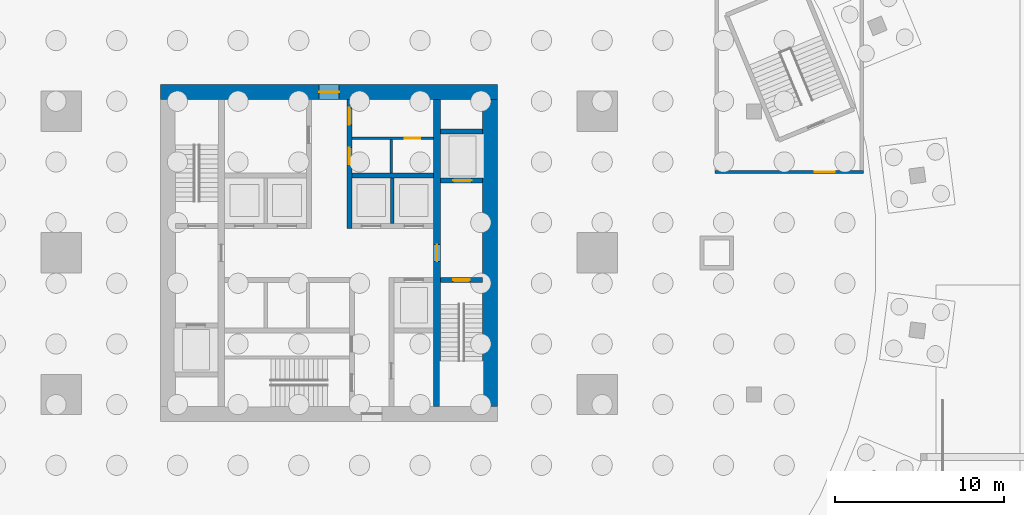
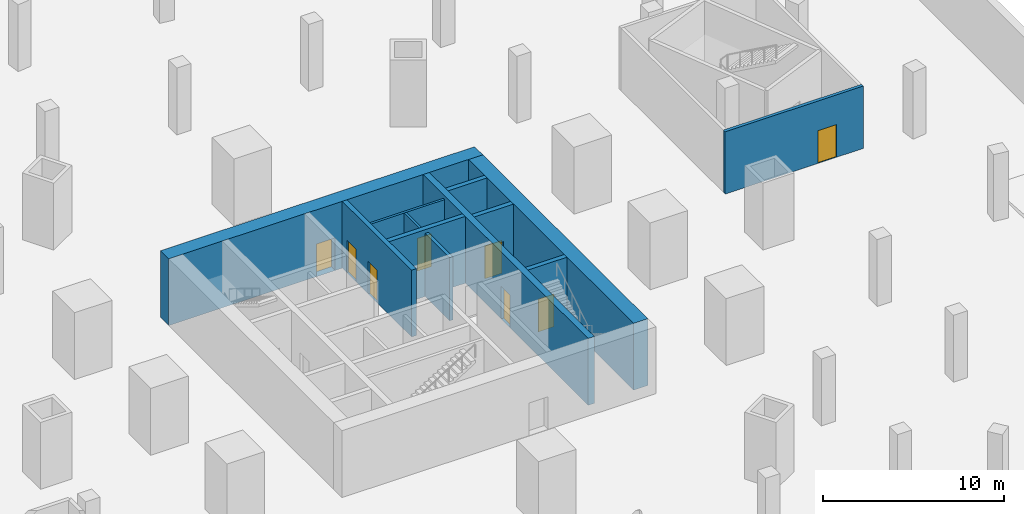
# One storey, part 6 of 12: 12 walls, 8 doors, 8 openings.
"""IFC4 building model written with IfcOpenShell, lengths in metres."""

from ifc_helpers import new_model, si_unit, direction, frame, frame_2d, origin, place, context, subcontext, project, spatial, rectangle, extrude, material, layer, layer_set, type_object, element, fill, save


model = new_model("IFC4")

# Units and contexts
model_context = context("Model", 3, precision=1e-05, world=origin(), true_north=direction((0.0, 1.0)))
body_context = subcontext(model_context, "Body", "Model", "MODEL_VIEW")
ifc_project = project(units=[si_unit("LENGTHUNIT", "METRE"), si_unit("AREAUNIT", "SQUARE_METRE"), si_unit("VOLUMEUNIT", "CUBIC_METRE"), si_unit("PLANEANGLEUNIT", "RADIAN"), si_unit("MASSUNIT", "GRAM", prefix="KILO")], contexts=[model_context])

# Site, building, storey
site_placement = place(None, origin())
site = spatial("IfcSite", under=ifc_project, at=site_placement, CompositionType="ELEMENT")
building_placement = place(site_placement, origin())
building = spatial("IfcBuilding", under=site, at=building_placement, Name="Golbaran Civic Tower", CompositionType="ELEMENT")
storey_placement = place(building_placement, frame((0.0, 0.0, -13.5)))
storey = spatial("IfcBuildingStorey", under=building, at=storey_placement, Name="B3", CompositionType="ELEMENT", Elevation=-13.5)

# Wall, opening, door
ifc_material_1 = material(Name="Concrete block", Category="concrete")
ifc_layer_1 = layer(ifc_material_1, 0.14990234375, Name="Concrete block")
ifc_layer_set_1 = layer_set([ifc_layer_1], Name="Concrete block")
wall_type_1 = type_object("IfcWallType", Name="BLOCKWORK PARTITION 150", PredefinedType="PARTITIONING", material=ifc_layer_set_1)
wall_1_placement = place(storey_placement, frame((1.35009765625, 6.800048828125, 0.0), z_axis=(0.0, 0.0, 1.0), x_axis=(1.0, 0.0, 0.0)))
wall_1 = element("IfcWall", 1, at=wall_1_placement, inside=storey, type_object=wall_type_1, Name="Toilet block partition TN1 B3", PredefinedType="PARTITIONING", context=body_context, shape_type="SweptSolid", body=[
    extrude(rectangle(XDim=4.849853515625, YDim=0.14990234375, at=frame_2d((2.4248046875, 0.0))), origin(), (0.0, 0.0, 1.0), 4.25),
])
opening_1_placement = place(wall_1_placement, frame((3.14990234375, 0.0, 0.0)))
opening_1 = element("IfcOpeningElement", 2, at=opening_1_placement, cuts=wall_1, Name="Opening B3.CLN", PredefinedType="OPENING", context=body_context, shape_type="SweptSolid", body=[
    extrude(rectangle(XDim=0.89990234375, YDim=2.199951171875, at=frame_2d((0.449951171875, 1.10009765625))), frame((0.0, 0.0849609375, 0.0), z_axis=(0.0, -1.0, 0.0), x_axis=(1.0, 0.0, 0.0)), (0.0, 0.0, 1.0), 0.169921875),
])
ifc_material_2 = material(Name="Timber door set in steel frame", Category="steel")
door_type_1 = type_object("IfcDoorType", Name="RISER DOOR 900x2200", OperationType="SINGLE_SWING_LEFT", PredefinedType="DOOR", material=ifc_material_2)
door_1_placement = place(opening_1_placement, origin())
door_1 = element("IfcDoor", 3, at=door_1_placement, inside=storey, type_object=door_type_1, Name="Cleaner's Store door", OperationType="SINGLE_SWING_RIGHT", OverallHeight=2.199951171875, OverallWidth=0.89990234375, PredefinedType="DOOR", context=body_context, shape_type="SweptSolid", body=[
    extrude(rectangle(XDim=0.89990234375, YDim=2.199951171875, at=frame_2d((0.449951171875, 1.10009765625))), frame((0.0, 0.02490234375, 0.0), z_axis=(0.0, -1.0, 0.0), x_axis=(1.0, 0.0, 0.0)), (0.0, 0.0, 1.0), 0.050048828125),
])
fill(opening_1, door_1)

# Wall
wall_2_placement = place(storey_placement, frame((3.699951171875, 4.75, 0.0), z_axis=(0.0, 0.0, 1.0), x_axis=(0.0, 1.0, 0.0)))
element("IfcWall", 4, at=wall_2_placement, inside=storey, type_object=wall_type_1, Name="Toilet block partition TN2 B3", PredefinedType="PARTITIONING", context=body_context, shape_type="SweptSolid", body=[
    extrude(rectangle(XDim=1.97509765625, YDim=0.14990234375, at=frame_2d((0.987548828125, 0.0))), origin(), (0.0, 0.0, 1.0), 4.25),
])

# Wall, opening, door
ifc_material_3 = material(Name="Concrete C50/60", Category="concrete")
ifc_layer_2 = layer(ifc_material_3, 0.39990234375, Name="Concrete C50/60")
ifc_layer_set_2 = layer_set([ifc_layer_2], Name="Concrete C50/60")
wall_type_2 = type_object("IfcWallType", Name="CORE WALL CONCRETE 400", PredefinedType="SOLIDWALL", material=ifc_layer_set_2)
wall_3_placement = place(storey_placement, frame((6.39990234375, 9.10009765625, 0.0), z_axis=(0.0, 0.0, 1.0), x_axis=(0.0, -1.0, 0.0)))
wall_3 = element("IfcWall", 5, at=wall_3_placement, inside=storey, type_object=wall_type_2, Name="Core wall IE B3", PredefinedType="SOLIDWALL", context=body_context, shape_type="SweptSolid", body=[
    extrude(rectangle(XDim=18.2001953125, YDim=0.39990234375, at=frame_2d((9.10009765625, 0.0))), origin(), (0.0, 0.0, 1.0), 4.5),
])
opening_2_placement = place(wall_3_placement, frame((8.60009765625, 0.0, 0.0)))
opening_2 = element("IfcOpeningElement", 6, at=opening_2_placement, cuts=wall_3, Name="Opening B3.FL2", PredefinedType="OPENING", context=body_context, shape_type="SweptSolid", body=[
    extrude(rectangle(XDim=1.0, YDim=2.199951171875, at=frame_2d((0.5, 1.10009765625))), frame((0.0, 0.2099609375, 0.0), z_axis=(0.0, -1.0, 0.0), x_axis=(1.0, 0.0, 0.0)), (0.0, 0.0, 1.0), 0.419921875),
])
door_type_2 = type_object("IfcDoorType", Name="STAIR DOOR 1000x2200", OperationType="SINGLE_SWING_LEFT", PredefinedType="DOOR", material=ifc_material_2)
door_2_placement = place(opening_2_placement, origin())
door_2 = element("IfcDoor", 7, at=door_2_placement, inside=storey, type_object=door_type_2, Name="Fire-fighting lobby FL2 door", OperationType="SINGLE_SWING_RIGHT", OverallHeight=2.199951171875, OverallWidth=1.0, PredefinedType="DOOR", context=body_context, shape_type="SweptSolid", body=[
    extrude(rectangle(XDim=1.0, YDim=2.199951171875, at=frame_2d((0.5, 1.10009765625))), frame((0.0, 0.02490234375, 0.0), z_axis=(0.0, -1.0, 0.0), x_axis=(1.0, 0.0, 0.0)), (0.0, 0.0, 1.0), 0.050048828125),
])
fill(opening_2, door_2)

ifc_layer_3 = layer(ifc_material_3, 0.89990234375, Name="Concrete C50/60")
ifc_layer_set_3 = layer_set([ifc_layer_3], Name="Concrete C50/60")
wall_type_3 = type_object("IfcWallType", Name="CORE WALL CONCRETE 900", PredefinedType="SOLIDWALL", material=ifc_layer_set_3)
wall_4_placement = place(storey_placement, frame((-10.0, 9.550048828125, 0.0), z_axis=(0.0, 0.0, 1.0), x_axis=(1.0, 0.0, 0.0)))
wall_4 = element("IfcWall", 8, at=wall_4_placement, inside=storey, type_object=wall_type_3, Name="Core wall CN B3", PredefinedType="SOLIDWALL", context=body_context, shape_type="SweptSolid", body=[
    extrude(rectangle(XDim=20.0, YDim=0.89990234375, at=frame_2d((10.0, 0.0))), origin(), (0.0, 0.0, 1.0), 4.5),
])
opening_3_placement = place(wall_4_placement, frame((9.39990234375, 0.0, 0.0)))
opening_3 = element("IfcOpeningElement", 9, at=opening_3_placement, cuts=wall_4, Name="Opening B3.CN", PredefinedType="OPENING", context=body_context, shape_type="SweptSolid", body=[
    extrude(rectangle(XDim=1.199951171875, YDim=2.199951171875, at=frame_2d((0.60009765625, 1.10009765625))), frame((0.0, 0.4599609375, 0.0), z_axis=(0.0, -1.0, 0.0), x_axis=(1.0, 0.0, 0.0)), (0.0, 0.0, 1.0), 0.919921875),
])
door_type_3 = type_object("IfcDoorType", Name="CORE DOOR 1200x2200", OperationType="DOUBLE_DOOR_SINGLE_SWING", PredefinedType="DOOR", material=ifc_material_2)
door_3_placement = place(opening_3_placement, origin())
door_3 = element("IfcDoor", 10, at=door_3_placement, inside=storey, type_object=door_type_3, Name="Core door north", OperationType="DOUBLE_DOOR_SINGLE_SWING", OverallHeight=2.199951171875, OverallWidth=1.199951171875, PredefinedType="DOOR", context=body_context, shape_type="SweptSolid", body=[
    extrude(rectangle(XDim=1.199951171875, YDim=2.199951171875, at=frame_2d((0.60009765625, 1.10009765625))), frame((0.0, 0.02490234375, 0.0), z_axis=(0.0, -1.0, 0.0), x_axis=(1.0, 0.0, 0.0)), (0.0, 0.0, 1.0), 0.050048828125),
])
fill(opening_3, door_3)

# Walls
wall_5_placement = place(storey_placement, frame((9.550048828125, -9.10009765625, 0.0), z_axis=(0.0, 0.0, 1.0), x_axis=(0.0, 1.0, 0.0)))
element("IfcWall", 11, at=wall_5_placement, inside=storey, type_object=wall_type_3, Name="Core wall CE B3", PredefinedType="SOLIDWALL", context=body_context, shape_type="SweptSolid", body=[
    extrude(rectangle(XDim=18.2001953125, YDim=0.89990234375, at=frame_2d((9.10009765625, 0.0))), origin(), (0.0, 0.0, 1.0), 4.5),
])
ifc_layer_4 = layer(ifc_material_1, 0.199951171875, Name="Concrete block")
ifc_layer_set_4 = layer_set([ifc_layer_4], Name="Concrete block")
wall_type_4 = type_object("IfcWallType", Name="LIFT SEPARATOR WALL 200", PredefinedType="SOLIDWALL", material=ifc_layer_set_4)
wall_6_placement = place(storey_placement, frame((3.75, 1.75, 0.0), z_axis=(0.0, 0.0, 1.0), x_axis=(0.0, 1.0, 0.0)))
element("IfcWall", 12, at=wall_6_placement, inside=storey, type_object=wall_type_4, Name="Core partition SNE B3", PredefinedType="SOLIDWALL", context=body_context, shape_type="SweptSolid", body=[
    extrude(rectangle(XDim=2.699951171875, YDim=0.199951171875, at=frame_2d((1.35009765625, 0.0))), origin(), (0.0, 0.0, 1.0), 4.25),
])
ifc_layer_5 = layer(ifc_material_3, 0.300048828125, Name="Concrete C50/60")
ifc_layer_set_5 = layer_set([ifc_layer_5], Name="Concrete C50/60")
wall_type_5 = type_object("IfcWallType", Name="SHAFT WALL CONCRETE 300", PredefinedType="SOLIDWALL", material=ifc_layer_set_5)
wall_7_placement = place(storey_placement, frame((1.35009765625, 4.60009765625, 0.0), z_axis=(0.0, 0.0, 1.0), x_axis=(1.0, 0.0, 0.0)))
element("IfcWall", 13, at=wall_7_placement, inside=storey, type_object=wall_type_5, Name="Core wall BNE B3", PredefinedType="SOLIDWALL", context=body_context, shape_type="SweptSolid", body=[
    extrude(rectangle(XDim=4.849853515625, YDim=0.300048828125, at=frame_2d((2.4248046875, 0.0))), origin(), (0.0, 0.0, 1.0), 4.5),
])

# Wall, openings, doors
wall_8_placement = place(storey_placement, frame((1.199951171875, 1.449951171875, 0.0), z_axis=(0.0, 0.0, 1.0), x_axis=(0.0, 1.0, 0.0)))
wall_8 = element("IfcWall", 14, at=wall_8_placement, inside=storey, type_object=wall_type_5, Name="Core wall PNE B3", PredefinedType="SOLIDWALL", context=body_context, shape_type="SweptSolid", body=[
    extrude(rectangle(XDim=7.650146484375, YDim=0.300048828125, at=frame_2d((3.8251953125, 0.0))), origin(), (0.0, 0.0, 1.0), 4.5),
])
opening_4_placement = place(wall_8_placement, frame((3.800048828125, 0.0, 0.0)))
opening_4 = element("IfcOpeningElement", 15, at=opening_4_placement, cuts=wall_8, Name="Opening B3.WCA", PredefinedType="OPENING", context=body_context, shape_type="SweptSolid", body=[
    extrude(rectangle(XDim=1.0, YDim=2.199951171875, at=frame_2d((0.5, 1.10009765625))), frame((0.0, 0.159912109375, 0.0), z_axis=(0.0, -1.0, 0.0), x_axis=(1.0, 0.0, 0.0)), (0.0, 0.0, 1.0), 0.320068359375),
])
opening_5_placement = place(wall_8_placement, frame((6.14990234375, 0.0, 0.0)))
opening_5 = element("IfcOpeningElement", 16, at=opening_5_placement, cuts=wall_8, Name="Opening B3.WCF", PredefinedType="OPENING", context=body_context, shape_type="SweptSolid", body=[
    extrude(rectangle(XDim=1.0, YDim=2.199951171875, at=frame_2d((0.5, 1.10009765625))), frame((0.0, 0.159912109375, 0.0), z_axis=(0.0, -1.0, 0.0), x_axis=(1.0, 0.0, 0.0)), (0.0, 0.0, 1.0), 0.320068359375),
])
door_type_4 = type_object("IfcDoorType", Name="TOILET DOOR 1000x2200", OperationType="SINGLE_SWING_LEFT", PredefinedType="DOOR", material=ifc_material_2)
door_4_placement = place(opening_4_placement, origin())
door_4 = element("IfcDoor", 17, at=door_4_placement, inside=storey, type_object=door_type_4, Name="Accessible WC door", OperationType="SINGLE_SWING_RIGHT", OverallHeight=2.199951171875, OverallWidth=1.0, PredefinedType="DOOR", context=body_context, shape_type="SweptSolid", body=[
    extrude(rectangle(XDim=1.0, YDim=2.199951171875, at=frame_2d((0.5, 1.10009765625))), frame((0.0, 0.02490234375, 0.0), z_axis=(0.0, -1.0, 0.0), x_axis=(1.0, 0.0, 0.0)), (0.0, 0.0, 1.0), 0.050048828125),
])
fill(opening_4, door_4)
door_5_placement = place(opening_5_placement, origin())
door_5 = element("IfcDoor", 18, at=door_5_placement, inside=storey, type_object=door_type_4, Name="North-east toilet block door", OperationType="SINGLE_SWING_RIGHT", OverallHeight=2.199951171875, OverallWidth=1.0, PredefinedType="DOOR", context=body_context, shape_type="SweptSolid", body=[
    extrude(rectangle(XDim=1.0, YDim=2.199951171875, at=frame_2d((0.5, 1.10009765625))), frame((0.0, 0.02490234375, 0.0), z_axis=(0.0, -1.0, 0.0), x_axis=(1.0, 0.0, 0.0)), (0.0, 0.0, 1.0), 0.050048828125),
])
fill(opening_5, door_5)

# Wall, opening, door
wall_9_placement = place(storey_placement, frame((6.60009765625, -1.60009765625, 0.0), z_axis=(0.0, 0.0, 1.0), x_axis=(1.0, 0.0, 0.0)))
wall_9 = element("IfcWall", 19, at=wall_9_placement, inside=storey, type_object=wall_type_5, Name="Core wall XE1 B3", PredefinedType="SOLIDWALL", context=body_context, shape_type="SweptSolid", body=[
    extrude(rectangle(XDim=2.5, YDim=0.300048828125, at=frame_2d((1.25, 0.0))), origin(), (0.0, 0.0, 1.0), 4.5),
])
opening_6_placement = place(wall_9_placement, frame((0.75, 0.0, 0.0)))
opening_6 = element("IfcOpeningElement", 20, at=opening_6_placement, cuts=wall_9, Name="Opening B3.S2", PredefinedType="OPENING", context=body_context, shape_type="SweptSolid", body=[
    extrude(rectangle(XDim=1.0, YDim=2.199951171875, at=frame_2d((0.5, 1.10009765625))), frame((0.0, 0.159912109375, 0.0), z_axis=(0.0, -1.0, 0.0), x_axis=(1.0, 0.0, 0.0)), (0.0, 0.0, 1.0), 0.320068359375),
])
door_6_placement = place(opening_6_placement, origin())
door_6 = element("IfcDoor", 21, at=door_6_placement, inside=storey, type_object=door_type_2, Name="Stair S2 door", OperationType="SINGLE_SWING_LEFT", OverallHeight=2.199951171875, OverallWidth=1.0, PredefinedType="DOOR", context=body_context, shape_type="SweptSolid", body=[
    extrude(rectangle(XDim=1.0, YDim=2.199951171875, at=frame_2d((0.5, 1.10009765625))), frame((0.0, 0.02490234375, 0.0), z_axis=(0.0, -1.0, 0.0), x_axis=(1.0, 0.0, 0.0)), (0.0, 0.0, 1.0), 0.050048828125),
])
fill(opening_6, door_6)

wall_10_placement = place(storey_placement, frame((6.60009765625, 4.300048828125, 0.0), z_axis=(0.0, 0.0, 1.0), x_axis=(1.0, 0.0, 0.0)))
wall_10 = element("IfcWall", 22, at=wall_10_placement, inside=storey, type_object=wall_type_5, Name="Core wall XE2 B3", PredefinedType="SOLIDWALL", context=body_context, shape_type="SweptSolid", body=[
    extrude(rectangle(XDim=2.5, YDim=0.300048828125, at=frame_2d((1.25, 0.0))), origin(), (0.0, 0.0, 1.0), 4.5),
])
opening_7_placement = place(wall_10_placement, frame((0.75, 0.0, 0.0)))
opening_7 = element("IfcOpeningElement", 23, at=opening_7_placement, cuts=wall_10, Name="Opening B3.LD-F2", PredefinedType="OPENING", context=body_context, shape_type="SweptSolid", body=[
    extrude(rectangle(XDim=1.10009765625, YDim=2.199951171875, at=frame_2d((0.550048828125, 1.10009765625))), frame((0.0, 0.159912109375, 0.0), z_axis=(0.0, -1.0, 0.0), x_axis=(1.0, 0.0, 0.0)), (0.0, 0.0, 1.0), 0.320068359375),
])
ifc_material_4 = material(Name="Stainless steel", Category="steel")
door_type_5 = type_object("IfcDoorType", Name="LIFT LANDING DOOR 1100x2200", OperationType="SLIDING_TO_LEFT", PredefinedType="DOOR", material=ifc_material_4)
door_7_placement = place(opening_7_placement, origin())
door_7 = element("IfcDoor", 24, at=door_7_placement, inside=storey, type_object=door_type_5, Name="Lift landing door F2", OperationType="SLIDING_TO_LEFT", OverallHeight=2.199951171875, OverallWidth=1.10009765625, PredefinedType="DOOR", context=body_context, shape_type="SweptSolid", body=[
    extrude(rectangle(XDim=1.10009765625, YDim=2.199951171875, at=frame_2d((0.550048828125, 1.10009765625))), frame((0.0, 0.02490234375, 0.0), z_axis=(0.0, -1.0, 0.0), x_axis=(1.0, 0.0, 0.0)), (0.0, 0.0, 1.0), 0.050048828125),
])
fill(opening_7, door_7)

# Wall
wall_11_placement = place(storey_placement, frame((6.60009765625, 7.199951171875, 0.0), z_axis=(0.0, 0.0, 1.0), x_axis=(1.0, 0.0, 0.0)))
element("IfcWall", 25, at=wall_11_placement, inside=storey, type_object=wall_type_5, Name="Core wall XE3 B3", PredefinedType="SOLIDWALL", context=body_context, shape_type="SweptSolid", body=[
    extrude(rectangle(XDim=2.5, YDim=0.300048828125, at=frame_2d((1.25, 0.0))), origin(), (0.0, 0.0, 1.0), 4.5),
])

# Wall, opening, door
ifc_material_5 = material(Name="Reinforced blockwork, fire-rated", Category="masonry")
ifc_layer_6 = layer(ifc_material_5, 0.199951171875, Name="Reinforced blockwork, fire-rated")
ifc_layer_set_6 = layer_set([ifc_layer_6], Name="Reinforced blockwork, fire-rated")
wall_type_6 = type_object("IfcWallType", Name="STAIR LOBBY WALL 200", PredefinedType="PARTITIONING", material=ifc_layer_set_6)
wall_12_placement = place(storey_placement, frame((22.89990234375, 4.800048828125, 0.0), z_axis=(0.0, 0.0, 1.0), x_axis=(1.0, 0.0, 0.0)))
wall_12 = element("IfcWall", 26, at=wall_12_placement, inside=storey, type_object=wall_type_6, Name="Stair P1 lobby wall B3", PredefinedType="PARTITIONING", context=body_context, shape_type="SweptSolid", body=[
    extrude(rectangle(XDim=8.800048828125, YDim=0.199951171875, at=frame_2d((4.39990234375, 0.0))), origin(), (0.0, 0.0, 1.0), 4.199951171875),
])
opening_8_placement = place(wall_12_placement, frame((5.89990234375, 0.0, 0.0)))
opening_8 = element("IfcOpeningElement", 27, at=opening_8_placement, cuts=wall_12, Name="Opening B3.05", PredefinedType="OPENING", context=body_context, shape_type="SweptSolid", body=[
    extrude(rectangle(XDim=1.199951171875, YDim=2.199951171875, at=frame_2d((0.60009765625, 1.10009765625))), frame((0.0, 0.10986328125, 0.0), z_axis=(0.0, -1.0, 0.0), x_axis=(1.0, 0.0, 0.0)), (0.0, 0.0, 1.0), 0.219970703125),
])
ifc_material_6 = material(Name="Steel door set, fire-rated, self-closing", Category="steel")
door_type_6 = type_object("IfcDoorType", Name="STAIR LOBBY FIRE DOOR 1200x2200", OperationType="SINGLE_SWING_LEFT", PredefinedType="DOOR", material=ifc_material_6)
door_8_placement = place(opening_8_placement, origin())
door_8 = element("IfcDoor", 28, at=door_8_placement, inside=storey, type_object=door_type_6, Name="Stair P1 lobby door B3", OperationType="SINGLE_SWING_RIGHT", OverallHeight=2.199951171875, OverallWidth=1.199951171875, PredefinedType="DOOR", context=body_context, shape_type="SweptSolid", body=[
    extrude(rectangle(XDim=1.199951171875, YDim=2.199951171875, at=frame_2d((0.60009765625, 1.10009765625))), frame((0.0, 0.02490234375, 0.0), z_axis=(0.0, -1.0, 0.0), x_axis=(1.0, 0.0, 0.0)), (0.0, 0.0, 1.0), 0.050048828125),
])
fill(opening_8, door_8)

save(model, "model.ifc")
